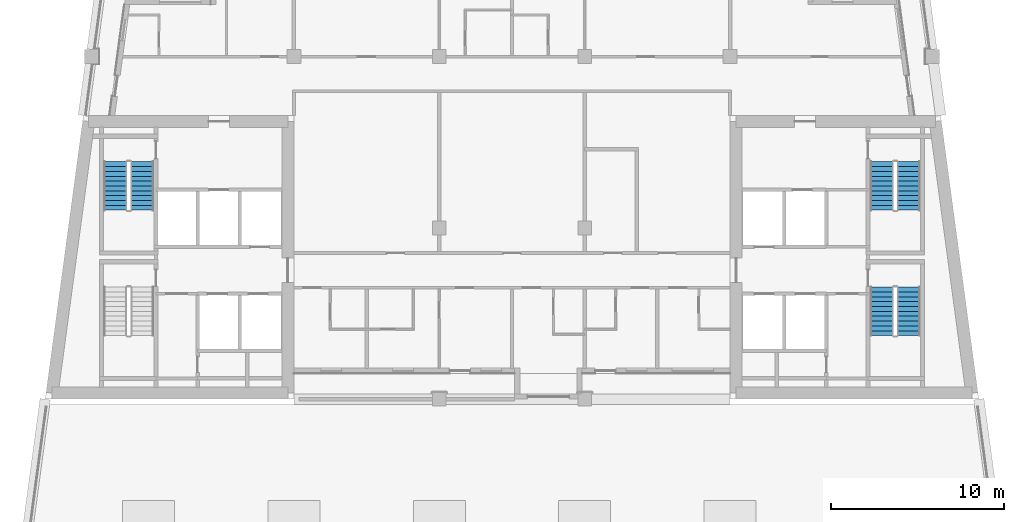
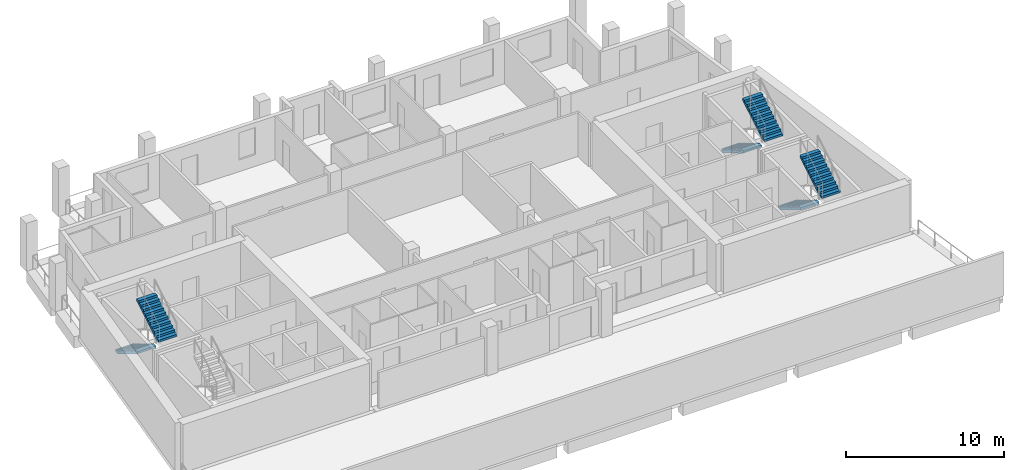
# One storey, part 6 of 12: 6 stair flights, 3 elements without a shape of their own.
"""IFC4 building model written with IfcOpenShell, lengths in metres."""

from ifc_helpers import new_model, si_unit, direction, frame, origin, place, context, subcontext, project, spatial, polyline, outline, extrude, material, type_object, element, aggregate, save


model = new_model("IFC4")

# Units and contexts
model_context = context("Model", 3, precision=1e-05, world=origin(), true_north=direction((0.0, 1.0)))
body_context = subcontext(model_context, "Body", "Model", "MODEL_VIEW")
ifc_project = project(units=[si_unit("LENGTHUNIT", "METRE"), si_unit("AREAUNIT", "SQUARE_METRE"), si_unit("VOLUMEUNIT", "CUBIC_METRE"), si_unit("PLANEANGLEUNIT", "RADIAN"), si_unit("MASSUNIT", "GRAM", prefix="KILO")], contexts=[model_context])

# Site, building, storey
site_placement = place(None, origin())
site = spatial("IfcSite", under=ifc_project, at=site_placement, CompositionType="ELEMENT")
building_placement = place(site_placement, origin())
building = spatial("IfcBuilding", under=site, at=building_placement, Name="Candeia Pilgrim Tower and Theatre", CompositionType="ELEMENT")
storey_placement = place(building_placement, frame((0.0, 0.0, 281.199951171875)))
storey = spatial("IfcBuildingStorey", under=building, at=storey_placement, Name="L68", CompositionType="ELEMENT", Elevation=281.199951171875)

# Stair, stair flights
ifc_material = material(Name="Concrete C40/50", Category="concrete")
stair_type = type_object("IfcStairType", Name="ST-TWR dog-leg escape stair", PredefinedType="HALF_TURN_STAIR", material=ifc_material)
stair_1_placement = place(storey_placement, origin())
stair_1 = element("IfcStair", 1, at=stair_1_placement, inside=storey, type_object=stair_type, Name="L68 Escape stair ST2", PredefinedType="HALF_TURN_STAIR")
stair_flight_type = type_object("IfcStairFlightType", Name="SFL-RC stair flight", PredefinedType="STRAIGHT", material=ifc_material)
stair_flight_1_placement = place(storey_placement, frame((90.47705078125, 129.72509765625, 0.0), z_axis=(0.0, 0.0, 1.0), x_axis=(0.0, -1.0, 0.0)))
stair_flight_1 = element("IfcStairFlight", 2, at=stair_flight_1_placement, type_object=stair_flight_type, Name="ST2 flight 1", NumberOfRisers=11, NumberOfTreads=10, PredefinedType="STRAIGHT", RiserHeight=0.168181818, TreadLength=0.28, context=body_context, shape_type="SweptSolid", body=[
    extrude(outline(polyline([(0.0, 0.0), (0.0, 0.168212890625), (0.280029296875, 0.168212890625), (0.280029296875, 0.33642578125), (0.56005859375, 0.33642578125), (0.56005859375, 0.504638671875), (0.840087890625, 0.504638671875), (0.840087890625, 0.672607421875), (1.1201171875, 0.672607421875), (1.1201171875, 0.8408203125), (1.39990234375, 0.8408203125), (1.39990234375, 1.009033203125), (1.679931640625, 1.009033203125), (1.679931640625, 1.17724609375), (1.9599609375, 1.17724609375), (1.9599609375, 1.345458984375), (2.239990234375, 1.345458984375), (2.239990234375, 1.513671875), (2.52001953125, 1.513671875), (2.52001953125, 1.681884765625), (2.800048828125, 1.681884765625), (2.800048828125, 1.85009765625), (2.800048828125, 1.5068359375), (0.291015625, 0.0), (0.0, 0.0)])), frame((0.0, 0.675048828125, 0.0), z_axis=(0.0, -1.0, 0.0), x_axis=(1.0, 0.0, 0.0)), (0.0, 0.0, 1.0), 1.35009765625),
])
stair_flight_2_placement = place(storey_placement, frame((92.027099609375, 126.925048828125, 1.85009765625), z_axis=(0.0, 0.0, 1.0), x_axis=(0.0, 1.0, 0.0)))
stair_flight_2 = element("IfcStairFlight", 3, at=stair_flight_2_placement, type_object=stair_flight_type, Name="ST2 flight 2", NumberOfRisers=11, NumberOfTreads=10, PredefinedType="STRAIGHT", RiserHeight=0.168181818, TreadLength=0.28, context=body_context, shape_type="SweptSolid", body=[
    extrude(outline(polyline([(0.0, 0.0), (0.0, 0.168212890625), (0.280029296875, 0.168212890625), (0.280029296875, 0.33642578125), (0.56005859375, 0.33642578125), (0.56005859375, 0.504638671875), (0.840087890625, 0.504638671875), (0.840087890625, 0.672607421875), (1.1201171875, 0.672607421875), (1.1201171875, 0.8408203125), (1.39990234375, 0.8408203125), (1.39990234375, 1.009033203125), (1.679931640625, 1.009033203125), (1.679931640625, 1.17724609375), (1.9599609375, 1.17724609375), (1.9599609375, 1.345458984375), (2.239990234375, 1.345458984375), (2.239990234375, 1.513671875), (2.52001953125, 1.513671875), (2.52001953125, 1.681884765625), (2.800048828125, 1.681884765625), (2.800048828125, 1.85009765625), (2.800048828125, 1.5068359375), (0.291015625, 0.0), (0.0, 0.0)])), frame((0.0, 0.675048828125, 0.0), z_axis=(0.0, -1.0, 0.0), x_axis=(1.0, 0.0, 0.0)), (0.0, 0.0, 1.0), 1.35009765625),
])
aggregate(stair_1, [stair_flight_1, stair_flight_2])

stair_2_placement = place(storey_placement, origin())
stair_2 = element("IfcStair", 4, at=stair_2_placement, inside=storey, type_object=stair_type, Name="L68 Escape stair ST3", PredefinedType="HALF_TURN_STAIR")
stair_flight_3_placement = place(storey_placement, frame((134.77294921875, 122.47509765625, 0.0), z_axis=(0.0, 0.0, 1.0), x_axis=(0.0, -1.0, 0.0)))
stair_flight_3 = element("IfcStairFlight", 5, at=stair_flight_3_placement, type_object=stair_flight_type, Name="ST3 flight 1", NumberOfRisers=11, NumberOfTreads=10, PredefinedType="STRAIGHT", RiserHeight=0.168181818, TreadLength=0.28, context=body_context, shape_type="SweptSolid", body=[
    extrude(outline(polyline([(0.0, 0.0), (0.0, 0.168212890625), (0.280029296875, 0.168212890625), (0.280029296875, 0.33642578125), (0.56005859375, 0.33642578125), (0.56005859375, 0.504638671875), (0.840087890625, 0.504638671875), (0.840087890625, 0.672607421875), (1.1201171875, 0.672607421875), (1.1201171875, 0.8408203125), (1.39990234375, 0.8408203125), (1.39990234375, 1.009033203125), (1.679931640625, 1.009033203125), (1.679931640625, 1.17724609375), (1.9599609375, 1.17724609375), (1.9599609375, 1.345458984375), (2.239990234375, 1.345458984375), (2.239990234375, 1.513671875), (2.52001953125, 1.513671875), (2.52001953125, 1.681884765625), (2.800048828125, 1.681884765625), (2.800048828125, 1.85009765625), (2.800048828125, 1.5068359375), (0.291015625, 0.0), (0.0, 0.0)])), frame((0.0, 0.675048828125, 0.0), z_axis=(0.0, -1.0, 0.0), x_axis=(1.0, 0.0, 0.0)), (0.0, 0.0, 1.0), 1.35009765625),
])
stair_flight_4_placement = place(storey_placement, frame((136.322998046875, 119.675048828125, 1.85009765625), z_axis=(0.0, 0.0, 1.0), x_axis=(0.0, 1.0, 0.0)))
stair_flight_4 = element("IfcStairFlight", 6, at=stair_flight_4_placement, type_object=stair_flight_type, Name="ST3 flight 2", NumberOfRisers=11, NumberOfTreads=10, PredefinedType="STRAIGHT", RiserHeight=0.168181818, TreadLength=0.28, context=body_context, shape_type="SweptSolid", body=[
    extrude(outline(polyline([(0.0, 0.0), (0.0, 0.168212890625), (0.280029296875, 0.168212890625), (0.280029296875, 0.33642578125), (0.56005859375, 0.33642578125), (0.56005859375, 0.504638671875), (0.840087890625, 0.504638671875), (0.840087890625, 0.672607421875), (1.1201171875, 0.672607421875), (1.1201171875, 0.8408203125), (1.39990234375, 0.8408203125), (1.39990234375, 1.009033203125), (1.679931640625, 1.009033203125), (1.679931640625, 1.17724609375), (1.9599609375, 1.17724609375), (1.9599609375, 1.345458984375), (2.239990234375, 1.345458984375), (2.239990234375, 1.513671875), (2.52001953125, 1.513671875), (2.52001953125, 1.681884765625), (2.800048828125, 1.681884765625), (2.800048828125, 1.85009765625), (2.800048828125, 1.5068359375), (0.291015625, 0.0), (0.0, 0.0)])), frame((0.0, 0.675048828125, 0.0), z_axis=(0.0, -1.0, 0.0), x_axis=(1.0, 0.0, 0.0)), (0.0, 0.0, 1.0), 1.35009765625),
])
aggregate(stair_2, [stair_flight_3, stair_flight_4])

stair_3_placement = place(storey_placement, origin())
stair_3 = element("IfcStair", 7, at=stair_3_placement, inside=storey, type_object=stair_type, Name="L68 Escape stair ST4", PredefinedType="HALF_TURN_STAIR")
stair_flight_5_placement = place(storey_placement, frame((134.77294921875, 129.72509765625, 0.0), z_axis=(0.0, 0.0, 1.0), x_axis=(0.0, -1.0, 0.0)))
stair_flight_5 = element("IfcStairFlight", 8, at=stair_flight_5_placement, type_object=stair_flight_type, Name="ST4 flight 1", NumberOfRisers=11, NumberOfTreads=10, PredefinedType="STRAIGHT", RiserHeight=0.168181818, TreadLength=0.28, context=body_context, shape_type="SweptSolid", body=[
    extrude(outline(polyline([(0.0, 0.0), (0.0, 0.168212890625), (0.280029296875, 0.168212890625), (0.280029296875, 0.33642578125), (0.56005859375, 0.33642578125), (0.56005859375, 0.504638671875), (0.840087890625, 0.504638671875), (0.840087890625, 0.672607421875), (1.1201171875, 0.672607421875), (1.1201171875, 0.8408203125), (1.39990234375, 0.8408203125), (1.39990234375, 1.009033203125), (1.679931640625, 1.009033203125), (1.679931640625, 1.17724609375), (1.9599609375, 1.17724609375), (1.9599609375, 1.345458984375), (2.239990234375, 1.345458984375), (2.239990234375, 1.513671875), (2.52001953125, 1.513671875), (2.52001953125, 1.681884765625), (2.800048828125, 1.681884765625), (2.800048828125, 1.85009765625), (2.800048828125, 1.5068359375), (0.291015625, 0.0), (0.0, 0.0)])), frame((0.0, 0.675048828125, 0.0), z_axis=(0.0, -1.0, 0.0), x_axis=(1.0, 0.0, 0.0)), (0.0, 0.0, 1.0), 1.35009765625),
])
stair_flight_6_placement = place(storey_placement, frame((136.322998046875, 126.925048828125, 1.85009765625), z_axis=(0.0, 0.0, 1.0), x_axis=(0.0, 1.0, 0.0)))
stair_flight_6 = element("IfcStairFlight", 9, at=stair_flight_6_placement, type_object=stair_flight_type, Name="ST4 flight 2", NumberOfRisers=11, NumberOfTreads=10, PredefinedType="STRAIGHT", RiserHeight=0.168181818, TreadLength=0.28, context=body_context, shape_type="SweptSolid", body=[
    extrude(outline(polyline([(0.0, 0.0), (0.0, 0.168212890625), (0.280029296875, 0.168212890625), (0.280029296875, 0.33642578125), (0.56005859375, 0.33642578125), (0.56005859375, 0.504638671875), (0.840087890625, 0.504638671875), (0.840087890625, 0.672607421875), (1.1201171875, 0.672607421875), (1.1201171875, 0.8408203125), (1.39990234375, 0.8408203125), (1.39990234375, 1.009033203125), (1.679931640625, 1.009033203125), (1.679931640625, 1.17724609375), (1.9599609375, 1.17724609375), (1.9599609375, 1.345458984375), (2.239990234375, 1.345458984375), (2.239990234375, 1.513671875), (2.52001953125, 1.513671875), (2.52001953125, 1.681884765625), (2.800048828125, 1.681884765625), (2.800048828125, 1.85009765625), (2.800048828125, 1.5068359375), (0.291015625, 0.0), (0.0, 0.0)])), frame((0.0, 0.675048828125, 0.0), z_axis=(0.0, -1.0, 0.0), x_axis=(1.0, 0.0, 0.0)), (0.0, 0.0, 1.0), 1.35009765625),
])
aggregate(stair_3, [stair_flight_5, stair_flight_6])

save(model, "model.ifc")
